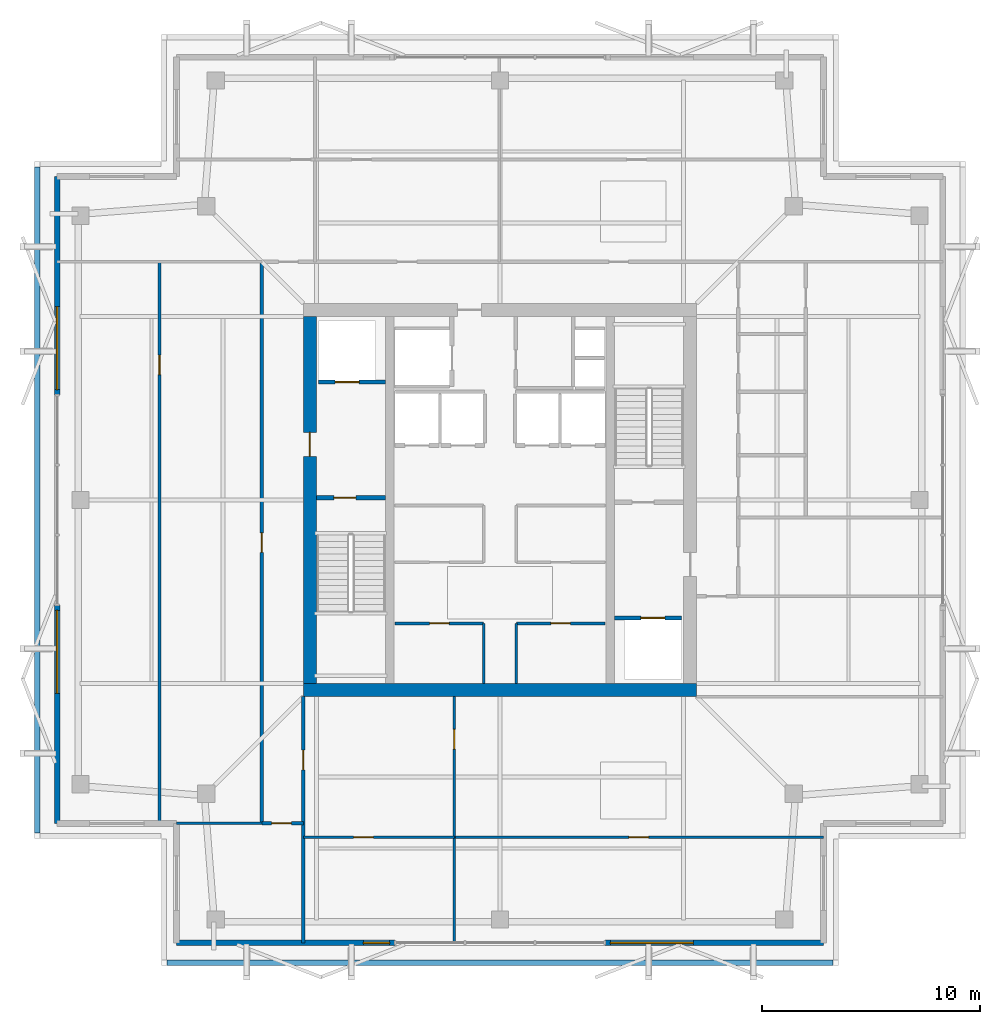
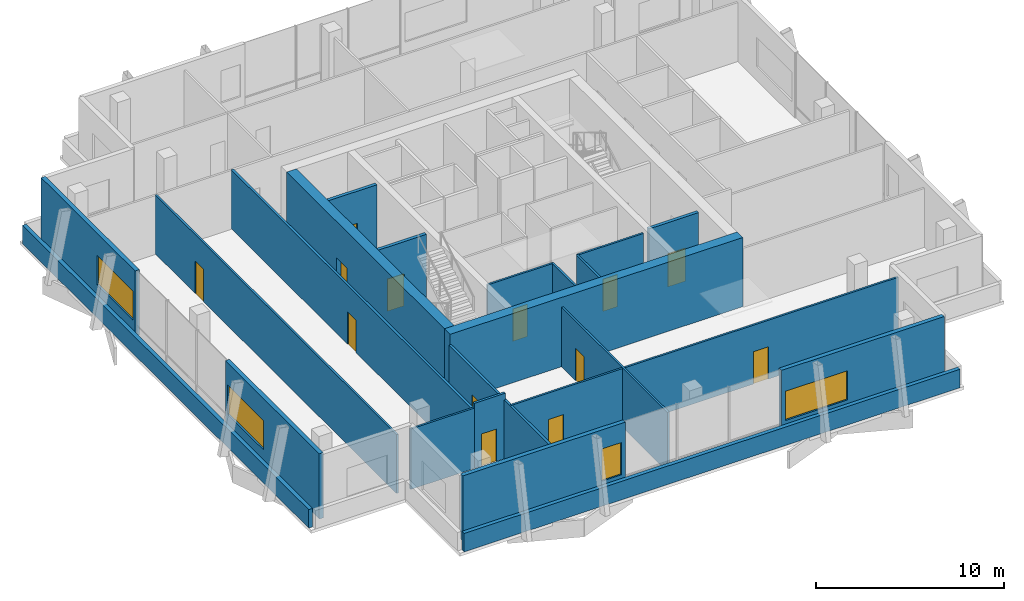
# One storey, part 13 of 17: 23 walls, 13 doors, 4 windows, 17 openings.
"""IFC4 building model written with IfcOpenShell, lengths in metres."""

import ifcopenshell
import ifcopenshell.guid

model = None  # the IFC model being written
_history = None  # IfcOwnerHistory: only IFC2X3 demands one
_inside = {}  # id of a spatial element -> (the spatial element, [elements in it])
_under = {}  # id of a project, library or spatial element -> (it, [spatial elements below it])
_declared = {}  # id of a project -> (the project, [libraries it declares])
_typed = {}  # id of a type object -> (the type object, [elements of that type])
_made_of = {}  # id of a material, layer set ... -> (it, [elements and type objects made of it])


def new_model(schema):
    """Start an empty IFC model of exactly this schema.

    Asked for "IFC4X3", IfcOpenShell would pick the latest addendum, in which some entities
    have other attributes; the version numbers below select the first issue.
    IFC2X3 requires an IfcOwnerHistory on every rooted entity: one is made here for all.
    """
    global model, _history
    if schema == "IFC4X3":
        model = ifcopenshell.file(schema_version=(4, 3, 0, 0))
    else:
        model = ifcopenshell.file(schema=schema)
    _inside.clear()
    _under.clear()
    _declared.clear()
    _typed.clear()
    _made_of.clear()
    _history = None
    if model.schema == "IFC2X3":
        org = make("IfcOrganization", Name="unknown")
        user = make(
            "IfcPersonAndOrganization",
            ThePerson=make("IfcPerson", FamilyName="unknown"),
            TheOrganization=org,
        )
        app = make(
            "IfcApplication",
            ApplicationDeveloper=org,
            Version="unknown",
            ApplicationFullName="unknown",
            ApplicationIdentifier="unknown",
        )
        _history = make(
            "IfcOwnerHistory",
            OwningUser=user,
            OwningApplication=app,
            ChangeAction="ADDED",
            CreationDate=0,
        )
    return model


def make(cls, **values):
    """One entity of the class cls with the attributes given. An attribute that is None is left unset."""
    return model.create_entity(
        cls, **{name: value for name, value in values.items() if value is not None}
    )


def rooted(cls, **values):
    """An entity with a GlobalId (a new one), such as an element, a storey or a relation."""
    return make(cls, GlobalId=ifcopenshell.guid.new(), OwnerHistory=_history, **values)


def si_unit(unit_type, name, prefix=None):
    """IfcSIUnit, for example si_unit("LENGTHUNIT", "METRE", prefix="MILLI")."""
    return make("IfcSIUnit", UnitType=unit_type, Prefix=prefix, Name=name)


def assignment(units):
    """IfcUnitAssignment: the units of a project."""
    return None if units is None else make("IfcUnitAssignment", Units=units)


def point(xyz):
    """IfcCartesianPoint."""
    return None if xyz is None else make("IfcCartesianPoint", Coordinates=xyz)


def direction(xyz):
    """IfcDirection."""
    return None if xyz is None else make("IfcDirection", DirectionRatios=xyz)


def frame(location, z_axis=None, x_axis=None):
    """IfcAxis2Placement3D, a coordinate frame: its origin and axes. An axis left out is left unset."""
    return make(
        "IfcAxis2Placement3D",
        Location=point(location),
        Axis=direction(z_axis),
        RefDirection=direction(x_axis),
    )


def frame_2d(location, x_axis=None):
    """IfcAxis2Placement2D, a coordinate frame in the plane: its origin and x axis."""
    return make(
        "IfcAxis2Placement2D", Location=point(location), RefDirection=direction(x_axis)
    )


def origin():
    """The frame at (0, 0, 0) with its axes left unset."""
    return frame((0.0, 0.0, 0.0))


def place(relative_to, where):
    """IfcLocalPlacement: puts the frame where relative to a parent placement (None: the world)."""
    return make(
        "IfcLocalPlacement", PlacementRelTo=relative_to, RelativePlacement=where
    )


def context(
    kind, dimensions, precision=None, world=None, true_north=None, identifier=None
):
    """IfcGeometricRepresentationContext, for example the 3D "Model" context."""
    return make(
        "IfcGeometricRepresentationContext",
        ContextIdentifier=identifier,
        ContextType=kind,
        CoordinateSpaceDimension=dimensions,
        Precision=precision,
        WorldCoordinateSystem=world,
        TrueNorth=true_north,
    )


def subcontext(parent, identifier, kind, view, scale=None):
    """IfcGeometricRepresentationSubContext, for example "Body" below "Model"."""
    return make(
        "IfcGeometricRepresentationSubContext",
        ContextIdentifier=identifier,
        ContextType=kind,
        ParentContext=parent,
        TargetScale=scale,
        TargetView=view,
    )


def project(units=None, contexts=None):
    """IfcProject with its units and contexts."""
    return rooted(
        "IfcProject",
        Name="project",
        RepresentationContexts=contexts,
        UnitsInContext=assignment(units),
    )


def spatial(cls, under=None, at=None, **own):
    """A site, building, storey or space (cls), placed at a placement, below another one or the project."""
    s = rooted(cls, ObjectPlacement=at, **own)
    if under is not None:
        _under.setdefault(under.id(), (under, []))[1].append(s)
    return s


def profile(cls, at=None, kind="AREA", **sizes):
    """A parametric profile (cls). Its sizes go by their IFC names, for example OverallWidth=200.0."""
    return make(cls, ProfileType=kind, Position=at, **sizes)


def rectangle(**sizes):
    """IfcRectangleProfileDef."""
    return profile("IfcRectangleProfileDef", **sizes)


def extrude(swept, where, along, depth):
    """IfcExtrudedAreaSolid: the profile swept, set in the frame where, extruded along a direction by depth."""
    return make(
        "IfcExtrudedAreaSolid",
        SweptArea=swept,
        Position=where,
        ExtrudedDirection=direction(along),
        Depth=depth,
    )


def shape(context_of_items, identifier, shape_type, items):
    """IfcShapeRepresentation: the items that make up one representation, for example the "Body"."""
    return make(
        "IfcShapeRepresentation",
        ContextOfItems=context_of_items,
        RepresentationIdentifier=identifier,
        RepresentationType=shape_type,
        Items=items,
    )


def material(Name=None, Category=None):
    """IfcMaterial."""
    return make("IfcMaterial", Name=Name, Category=Category)


def layer(
    of_material, thickness, ventilated=None, Name=None, Category=None, Priority=None
):
    """IfcMaterialLayer: one layer of a wall or slab, of a material (None: an air gap)."""
    return make(
        "IfcMaterialLayer",
        Material=of_material,
        LayerThickness=thickness,
        IsVentilated=ventilated,
        Name=Name,
        Category=Category,
        Priority=Priority,
    )


def layer_set(layers, Name=None):
    """IfcMaterialLayerSet."""
    return make("IfcMaterialLayerSet", MaterialLayers=layers, LayerSetName=Name)


def made_of(thing, what):
    """Note that an element or type object is made of a material, layer set ...; save() writes the relation."""
    if what is not None:
        _made_of.setdefault(what.id(), (what, []))[1].append(thing)
    return thing


def type_object(cls, material=None, **own):
    """A type object (cls), such as IfcWallType, which elements share."""
    return made_of(rooted(cls, **own), material)


def element(
    cls,
    number,
    at=None,
    inside=None,
    cuts=None,
    type_object=None,
    material=None,
    context=None,
    identifier="Body",
    shape_type=None,
    held_by="IfcProductDefinitionShape",
    body=None,
    shapes=None,
    **own,
):
    """One element of the class cls, such as IfcWall. Its Tag is "e" and its number.

    at: its placement. inside: the storey or other place that contains it. cuts: it is an
    opening in that element (IfcRelVoidsElement). A single representation is given by context,
    identifier, shape_type and body (its items); several are given by shapes. held_by: the class
    of the entity that holds the representations. save() writes the other relations.
    """
    e = rooted(cls, Tag="e%d" % number, ObjectPlacement=at, **own)
    if body is not None:
        shapes = [shape(context, identifier, shape_type, body)]
    if shapes is not None:
        e.Representation = make(held_by, Representations=shapes)
    if inside is not None:
        _inside.setdefault(inside.id(), (inside, []))[1].append(e)
    if cuts is not None:
        rooted(
            "IfcRelVoidsElement", RelatingBuildingElement=cuts, RelatedOpeningElement=e
        )
    if type_object is not None:
        _typed.setdefault(type_object.id(), (type_object, []))[1].append(e)
    return made_of(e, material)


def fill(opening, filler):
    """IfcRelFillsElement: the door or window that sits in an opening."""
    return rooted(
        "IfcRelFillsElement",
        RelatingOpeningElement=opening,
        RelatedBuildingElement=filler,
    )


def aggregate(whole, parts):
    """IfcRelAggregates: a whole, such as a stair, and the parts it consists of."""
    return rooted("IfcRelAggregates", RelatingObject=whole, RelatedObjects=parts)


def save(model, path):
    """Write the relations noted so far, then the file.

    IfcRelAggregates (storeys below a building ...), IfcRelContainedInSpatialStructure (elements
    in a storey), IfcRelDefinesByType, IfcRelAssociatesMaterial and IfcRelDeclares: one each for
    every whole, place, type object, material and project.
    """
    for whole, parts in _under.values():
        aggregate(whole, parts)
    for where, things in _inside.values():
        rooted(
            "IfcRelContainedInSpatialStructure",
            RelatedElements=things,
            RelatingStructure=where,
        )
    for kind, things in _typed.values():
        rooted("IfcRelDefinesByType", RelatedObjects=things, RelatingType=kind)
    for what, things in _made_of.values():
        rooted("IfcRelAssociatesMaterial", RelatedObjects=things, RelatingMaterial=what)
    for by, libraries in _declared.values():
        rooted("IfcRelDeclares", RelatingContext=by, RelatedDefinitions=libraries)
    model.write(path)


model = new_model("IFC4")

# Units and contexts
model_context = context("Model", 3, precision=1e-05, world=origin(), true_north=direction((0.0, 1.0)))
body_context = subcontext(model_context, "Body", "Model", "MODEL_VIEW")
ifc_project = project(units=[si_unit("LENGTHUNIT", "METRE"), si_unit("AREAUNIT", "SQUARE_METRE"), si_unit("VOLUMEUNIT", "CUBIC_METRE"), si_unit("PLANEANGLEUNIT", "RADIAN"), si_unit("MASSUNIT", "GRAM", prefix="KILO")], contexts=[model_context])

# Site, building, storey
site_placement = place(None, origin())
site = spatial("IfcSite", under=ifc_project, at=site_placement, CompositionType="ELEMENT")
building_placement = place(site_placement, origin())
building = spatial("IfcBuilding", under=site, at=building_placement, Name="Belovzor Exchange Tower", CompositionType="ELEMENT")
storey_placement = place(building_placement, frame((0.0, 0.0, 355.5)))
storey = spatial("IfcBuildingStorey", under=building, at=storey_placement, Name="L89", CompositionType="ELEMENT", Elevation=355.5)

# Wall, opening, door
ifc_material_1 = material(Name="Acoustic Plasterboard on Galvanised Studs", Category="gypsum")
ifc_layer_1 = layer(ifc_material_1, 0.1201171875)
ifc_layer_set_1 = layer_set([ifc_layer_1], Name="Acoustic Plasterboard on Galvanised Studs")
wall_type_1 = type_object("IfcWallType", Name="Acoustic Double-Stud Partition Wall 120", PredefinedType="PARTITIONING", material=ifc_layer_set_1)
wall_1_placement = place(storey_placement, frame((13.215087890625, 14.0, 0.0), z_axis=(0.0, 0.0, 1.0), x_axis=(0.0, 1.0, 0.0)))
wall_1 = element("IfcWall", 1, at=wall_1_placement, inside=storey, type_object=wall_type_1, Name="W-P120 Partition Wall W-L89-WHDIV-0", PredefinedType="PARTITIONING", context=body_context, shape_type="SweptSolid", body=[
    extrude(rectangle(XDim=25.699951171875, YDim=0.1201171875, at=frame_2d((12.85009765625, 0.0))), origin(), (0.0, 0.0, 1.0), 3.824951171875),
])
opening_1_placement = place(wall_1_placement, frame((20.532958984375, 0.0, 0.0)))
opening_1 = element("IfcOpeningElement", 2, at=opening_1_placement, cuts=wall_1, Name="Opening D-INT-090", PredefinedType="OPENING", context=body_context, shape_type="SweptSolid", body=[
    extrude(rectangle(XDim=0.89990234375, YDim=2.10009765625, at=frame_2d((0.449951171875, 1.050048828125))), frame((0.0, 0.070068359375, 0.0), z_axis=(0.0, -1.0, 0.0), x_axis=(1.0, 0.0, 0.0)), (0.0, 0.0, 1.0), 0.14013671875),
])
ifc_material_2 = material(Name="Veneered Hardwood Acoustic Leaf", Category="wood")
door_type_1 = type_object("IfcDoorType", Name="Trading Suite Acoustic Single Door 900x2100", OperationType="NOTDEFINED", PredefinedType="DOOR", material=ifc_material_2)
door_1_placement = place(opening_1_placement, origin())
door_1 = element("IfcDoor", 3, at=door_1_placement, inside=storey, type_object=door_type_1, Name="D-INT-090 Trading Suite Acoustic Single Door 900x2100", OperationType="SINGLE_SWING_LEFT", OverallHeight=2.10009765625, OverallWidth=0.89990234375, PredefinedType="DOOR", context=body_context, shape_type="SweptSolid", body=[
    extrude(rectangle(XDim=0.89990234375, YDim=2.10009765625, at=frame_2d((0.449951171875, 1.050048828125))), frame((0.0, 0.02490234375, 0.0), z_axis=(0.0, -1.0, 0.0), x_axis=(1.0, 0.0, 0.0)), (0.0, 0.0, 1.0), 0.050048828125),
])
fill(opening_1, door_1)

# Wall
wall_2_placement = place(storey_placement, frame((14.0, 14.0, 0.0), z_axis=(0.0, 0.0, 1.0), x_axis=(1.0, 0.0, 0.0)))
element("IfcWall", 4, at=wall_2_placement, inside=storey, type_object=wall_type_1, Name="W-P120 Partition Wall W-L89-SWS", PredefinedType="PARTITIONING", context=body_context, shape_type="SweptSolid", body=[
    extrude(rectangle(XDim=3.89990234375, YDim=0.1201171875, at=frame_2d((1.949951171875, 0.0))), origin(), (0.0, 0.0, 1.0), 3.925048828125),
])

# Wall, opening, door
wall_3_placement = place(storey_placement, frame((19.800048828125, 13.35595703125, 0.0), z_axis=(0.0, 0.0, 1.0), x_axis=(1.0, 0.0, 0.0)))
wall_3 = element("IfcWall", 5, at=wall_3_placement, inside=storey, type_object=wall_type_1, Name="W-P120 Partition Wall W-L89-SHDIV-0", PredefinedType="PARTITIONING", context=body_context, shape_type="SweptSolid", body=[
    extrude(rectangle(XDim=6.907958984375, YDim=0.1201171875, at=frame_2d((3.4541015625, 0.0))), origin(), (0.0, 0.0, 1.0), 3.824951171875),
])
opening_2_placement = place(wall_3_placement, frame((2.302978515625, 0.0, 0.0)))
opening_2 = element("IfcOpeningElement", 6, at=opening_2_placement, cuts=wall_3, Name="Opening D-INT-090", PredefinedType="OPENING", context=body_context, shape_type="SweptSolid", body=[
    extrude(rectangle(XDim=0.89990234375, YDim=2.10009765625, at=frame_2d((0.449951171875, 1.050048828125))), frame((0.0, 0.070068359375, 0.0), z_axis=(0.0, -1.0, 0.0), x_axis=(1.0, 0.0, 0.0)), (0.0, 0.0, 1.0), 0.14013671875),
])
door_2_placement = place(opening_2_placement, origin())
door_2 = element("IfcDoor", 7, at=door_2_placement, inside=storey, type_object=door_type_1, Name="D-INT-090 Trading Suite Acoustic Single Door 900x2100", OperationType="SINGLE_SWING_LEFT", OverallHeight=2.10009765625, OverallWidth=0.89990234375, PredefinedType="DOOR", context=body_context, shape_type="SweptSolid", body=[
    extrude(rectangle(XDim=0.89990234375, YDim=2.10009765625, at=frame_2d((0.449951171875, 1.050048828125))), frame((0.0, 0.02490234375, 0.0), z_axis=(0.0, -1.0, 0.0), x_axis=(1.0, 0.0, 0.0)), (0.0, 0.0, 1.0), 0.050048828125),
])
fill(opening_2, door_2)

wall_4_placement = place(storey_placement, frame((26.7080078125, 8.530029296875, 0.0), z_axis=(0.0, 0.0, 1.0), x_axis=(0.0, 1.0, 0.0)))
wall_4 = element("IfcWall", 8, at=wall_4_placement, inside=storey, type_object=wall_type_1, Name="W-P120 Partition Wall W-L89-SDIV-1", PredefinedType="PARTITIONING", context=body_context, shape_type="SweptSolid", body=[
    extrude(rectangle(XDim=11.27001953125, YDim=0.1201171875, at=frame_2d((5.635009765625, 0.0))), origin(), (0.0, 0.0, 1.0), 3.864990234375),
])
opening_3_placement = place(wall_4_placement, frame((8.8701171875, 0.0, 0.0)))
opening_3 = element("IfcOpeningElement", 9, at=opening_3_placement, cuts=wall_4, Name="Opening D-INT-090", PredefinedType="OPENING", context=body_context, shape_type="SweptSolid", body=[
    extrude(rectangle(XDim=0.89990234375, YDim=2.10009765625, at=frame_2d((0.449951171875, 1.050048828125))), frame((0.0, 0.070068359375, 0.0), z_axis=(0.0, -1.0, 0.0), x_axis=(1.0, 0.0, 0.0)), (0.0, 0.0, 1.0), 0.14013671875),
])
door_3_placement = place(opening_3_placement, origin())
door_3 = element("IfcDoor", 10, at=door_3_placement, inside=storey, type_object=door_type_1, Name="D-INT-090 Trading Suite Acoustic Single Door 900x2100", OperationType="SINGLE_SWING_LEFT", OverallHeight=2.10009765625, OverallWidth=0.89990234375, PredefinedType="DOOR", context=body_context, shape_type="SweptSolid", body=[
    extrude(rectangle(XDim=0.89990234375, YDim=2.10009765625, at=frame_2d((0.449951171875, 1.050048828125))), frame((0.0, 0.02490234375, 0.0), z_axis=(0.0, -1.0, 0.0), x_axis=(1.0, 0.0, 0.0)), (0.0, 0.0, 1.0), 0.050048828125),
])
fill(opening_3, door_3)

wall_5_placement = place(storey_placement, frame((26.7080078125, 13.35595703125, 0.0), z_axis=(0.0, 0.0, 1.0), x_axis=(1.0, 0.0, 0.0)))
wall_5 = element("IfcWall", 11, at=wall_5_placement, inside=storey, type_object=wall_type_1, Name="W-P120 Partition Wall W-L89-SHDIV-1", PredefinedType="PARTITIONING", context=body_context, shape_type="SweptSolid", body=[
    extrude(rectangle(XDim=16.89208984375, YDim=0.1201171875, at=frame_2d((8.446044921875, 0.0))), origin(), (0.0, 0.0, 1.0), 3.824951171875),
])
opening_4_placement = place(wall_5_placement, frame((7.99609375, 0.0, 0.0)))
opening_4 = element("IfcOpeningElement", 12, at=opening_4_placement, cuts=wall_5, Name="Opening D-INT-090", PredefinedType="OPENING", context=body_context, shape_type="SweptSolid", body=[
    extrude(rectangle(XDim=0.89990234375, YDim=2.10009765625, at=frame_2d((0.449951171875, 1.050048828125))), frame((0.0, 0.070068359375, 0.0), z_axis=(0.0, -1.0, 0.0), x_axis=(1.0, 0.0, 0.0)), (0.0, 0.0, 1.0), 0.14013671875),
])
door_4_placement = place(opening_4_placement, origin())
door_4 = element("IfcDoor", 13, at=door_4_placement, inside=storey, type_object=door_type_1, Name="D-INT-090 Trading Suite Acoustic Single Door 900x2100", OperationType="SINGLE_SWING_LEFT", OverallHeight=2.10009765625, OverallWidth=0.89990234375, PredefinedType="DOOR", context=body_context, shape_type="SweptSolid", body=[
    extrude(rectangle(XDim=0.89990234375, YDim=2.10009765625, at=frame_2d((0.449951171875, 1.050048828125))), frame((0.0, 0.02490234375, 0.0), z_axis=(0.0, -1.0, 0.0), x_axis=(1.0, 0.0, 0.0)), (0.0, 0.0, 1.0), 0.050048828125),
])
fill(opening_4, door_4)

ifc_material_3 = material(Name="Fire-Rated Plasterboard on Galvanised Studs", Category="gypsum")
ifc_layer_2 = layer(ifc_material_3, 0.1201171875)
ifc_layer_set_2 = layer_set([ifc_layer_2], Name="Fire-Rated Plasterboard on Galvanised Studs")
wall_type_2 = type_object("IfcWallType", Name="Fire-Rated Double-Stud Partition Wall 120", PredefinedType="PARTITIONING", material=ifc_layer_set_2)
wall_6_placement = place(storey_placement, frame((24.0, 23.14990234375, 0.0), z_axis=(0.0, 0.0, 1.0), x_axis=(1.0, 0.0, 0.0)))
wall_6 = element("IfcWall", 14, at=wall_6_placement, inside=storey, type_object=wall_type_2, Name="W-P120F Partition Wall W-CRL-L89-WN", PredefinedType="PARTITIONING", context=body_context, shape_type="SweptSolid", body=[
    extrude(rectangle(XDim=4.050048828125, YDim=0.1201171875, at=frame_2d((2.02490234375, 0.0))), origin(), (0.0, 0.0, 1.0), 4.239990234375),
])
opening_5_placement = place(wall_6_placement, frame((1.574951171875, 0.0, 0.0)))
opening_5 = element("IfcOpeningElement", 15, at=opening_5_placement, cuts=wall_6, Name="Opening D-FD60-090", PredefinedType="OPENING", context=body_context, shape_type="SweptSolid", body=[
    extrude(rectangle(XDim=0.89990234375, YDim=2.10009765625, at=frame_2d((0.449951171875, 1.050048828125))), frame((0.0, 0.070068359375, 0.0), z_axis=(0.0, -1.0, 0.0), x_axis=(1.0, 0.0, 0.0)), (0.0, 0.0, 1.0), 0.14013671875),
])
ifc_material_4 = material(Name="Acoustic Timber Fire Leaf", Category="wood")
door_type_2 = type_object("IfcDoorType", Name="Core Service & Restroom Fire Door 900x2100", OperationType="NOTDEFINED", PredefinedType="DOOR", material=ifc_material_4)
door_5_placement = place(opening_5_placement, origin())
door_5 = element("IfcDoor", 16, at=door_5_placement, inside=storey, type_object=door_type_2, Name="D-FD60-090 Core Service & Restroom Fire Door 900x2100", OperationType="SINGLE_SWING_LEFT", OverallHeight=2.10009765625, OverallWidth=0.89990234375, PredefinedType="DOOR", context=body_context, shape_type="SweptSolid", body=[
    extrude(rectangle(XDim=0.89990234375, YDim=2.10009765625, at=frame_2d((0.449951171875, 1.050048828125))), frame((0.0, 0.02490234375, 0.0), z_axis=(0.0, -1.0, 0.0), x_axis=(1.0, 0.0, 0.0)), (0.0, 0.0, 1.0), 0.050048828125),
])
fill(opening_5, door_5)

# Wall
wall_7_placement = place(storey_placement, frame((28.050048828125, 20.39990234375, 0.0), z_axis=(0.0, 0.0, 1.0), x_axis=(0.0, 1.0, 0.0)))
element("IfcWall", 17, at=wall_7_placement, inside=storey, type_object=wall_type_2, Name="W-P120F Partition Wall W-CRL-L89-WE", PredefinedType="PARTITIONING", context=body_context, shape_type="SweptSolid", body=[
    extrude(rectangle(XDim=2.75, YDim=0.1201171875, at=frame_2d((1.375, 0.0))), origin(), (0.0, 0.0, 1.0), 4.239990234375),
])

# Wall, opening, door
wall_8_placement = place(storey_placement, frame((29.550048828125, 23.14990234375, 0.0), z_axis=(0.0, 0.0, 1.0), x_axis=(1.0, 0.0, 0.0)))
wall_8 = element("IfcWall", 18, at=wall_8_placement, inside=storey, type_object=wall_type_2, Name="W-P120F Partition Wall W-CRL-L89-EN", PredefinedType="PARTITIONING", context=body_context, shape_type="SweptSolid", body=[
    extrude(rectangle(XDim=4.050048828125, YDim=0.1201171875, at=frame_2d((2.02490234375, 0.0))), origin(), (0.0, 0.0, 1.0), 4.239990234375),
])
opening_6_placement = place(wall_8_placement, frame((1.574951171875, 0.0, 0.0)))
opening_6 = element("IfcOpeningElement", 19, at=opening_6_placement, cuts=wall_8, Name="Opening D-FD60-090", PredefinedType="OPENING", context=body_context, shape_type="SweptSolid", body=[
    extrude(rectangle(XDim=0.89990234375, YDim=2.10009765625, at=frame_2d((0.449951171875, 1.050048828125))), frame((0.0, 0.070068359375, 0.0), z_axis=(0.0, -1.0, 0.0), x_axis=(1.0, 0.0, 0.0)), (0.0, 0.0, 1.0), 0.14013671875),
])
door_6_placement = place(opening_6_placement, origin())
door_6 = element("IfcDoor", 20, at=door_6_placement, inside=storey, type_object=door_type_2, Name="D-FD60-090 Core Service & Restroom Fire Door 900x2100", OperationType="SINGLE_SWING_RIGHT", OverallHeight=2.10009765625, OverallWidth=0.89990234375, PredefinedType="DOOR", context=body_context, shape_type="SweptSolid", body=[
    extrude(rectangle(XDim=0.89990234375, YDim=2.10009765625, at=frame_2d((0.449951171875, 1.050048828125))), frame((0.0, 0.02490234375, 0.0), z_axis=(0.0, -1.0, 0.0), x_axis=(1.0, 0.0, 0.0)), (0.0, 0.0, 1.0), 0.050048828125),
])
fill(opening_6, door_6)

# Wall
wall_9_placement = place(storey_placement, frame((29.550048828125, 20.39990234375, 0.0), z_axis=(0.0, 0.0, 1.0), x_axis=(0.0, 1.0, 0.0)))
element("IfcWall", 21, at=wall_9_placement, inside=storey, type_object=wall_type_2, Name="W-P120F Partition Wall W-CRL-L89-EW", PredefinedType="PARTITIONING", context=body_context, shape_type="SweptSolid", body=[
    extrude(rectangle(XDim=2.75, YDim=0.1201171875, at=frame_2d((1.375, 0.0))), origin(), (0.0, 0.0, 1.0), 4.239990234375),
])

# Wall, opening, door
ifc_material_5 = material(Name="Fire-Rated Gypsum Block and Mineral Wool", Category="gypsum")
ifc_layer_3 = layer(ifc_material_5, 0.14990234375)
ifc_layer_set_3 = layer_set([ifc_layer_3], Name="Fire-Rated Gypsum Block and Mineral Wool")
wall_type_3 = type_object("IfcWallType", Name="Fire-Rated Gypsum Block Corridor Wall 150", PredefinedType="PARTITIONING", material=ifc_layer_set_3)
wall_10_placement = place(storey_placement, frame((17.89990234375, 14.0, 0.0), z_axis=(0.0, 0.0, 1.0), x_axis=(1.0, 0.0, 0.0)))
wall_10 = element("IfcWall", 22, at=wall_10_placement, inside=storey, type_object=wall_type_3, Name="W-P150 Partition Wall W-L89-CW-END", PredefinedType="PARTITIONING", context=body_context, shape_type="SweptSolid", body=[
    extrude(rectangle(XDim=1.900146484375, YDim=0.14990234375, at=frame_2d((0.9501953125, 0.0))), origin(), (0.0, 0.0, 1.0), 4.239990234375),
])
opening_7_placement = place(wall_10_placement, frame((0.449951171875, 0.0, 0.0)))
opening_7 = element("IfcOpeningElement", 23, at=opening_7_placement, cuts=wall_10, Name="Opening D-FD60-090", PredefinedType="OPENING", context=body_context, shape_type="SweptSolid", body=[
    extrude(rectangle(XDim=0.89990234375, YDim=2.10009765625, at=frame_2d((0.449951171875, 1.050048828125))), frame((0.0, 0.0849609375, 0.0), z_axis=(0.0, -1.0, 0.0), x_axis=(1.0, 0.0, 0.0)), (0.0, 0.0, 1.0), 0.169921875),
])
door_7_placement = place(opening_7_placement, origin())
door_7 = element("IfcDoor", 24, at=door_7_placement, inside=storey, type_object=door_type_2, Name="D-FD60-090 Core Service & Restroom Fire Door 900x2100", OperationType="SINGLE_SWING_LEFT", OverallHeight=2.10009765625, OverallWidth=0.89990234375, PredefinedType="DOOR", context=body_context, shape_type="SweptSolid", body=[
    extrude(rectangle(XDim=0.89990234375, YDim=2.10009765625, at=frame_2d((0.449951171875, 1.050048828125))), frame((0.0, 0.02490234375, 0.0), z_axis=(0.0, -1.0, 0.0), x_axis=(1.0, 0.0, 0.0)), (0.0, 0.0, 1.0), 0.050048828125),
])
fill(opening_7, door_7)

wall_11_placement = place(storey_placement, frame((19.800048828125, 8.530029296875, 0.0), z_axis=(0.0, 0.0, 1.0), x_axis=(0.0, 1.0, 0.0)))
wall_11 = element("IfcWall", 25, at=wall_11_placement, inside=storey, type_object=wall_type_3, Name="W-P150 Partition Wall W-L89-CW-E", PredefinedType="PARTITIONING", context=body_context, shape_type="SweptSolid", body=[
    extrude(rectangle(XDim=11.27001953125, YDim=0.14990234375, at=frame_2d((5.635009765625, 0.0))), origin(), (0.0, 0.0, 1.0), 3.824951171875),
])
opening_8_placement = place(wall_11_placement, frame((7.919921875, 0.0, 0.0)))
opening_8 = element("IfcOpeningElement", 26, at=opening_8_placement, cuts=wall_11, Name="Opening D-FD60-090", PredefinedType="OPENING", context=body_context, shape_type="SweptSolid", body=[
    extrude(rectangle(XDim=0.89990234375, YDim=2.10009765625, at=frame_2d((0.449951171875, 1.050048828125))), frame((0.0, 0.0849609375, 0.0), z_axis=(0.0, -1.0, 0.0), x_axis=(1.0, 0.0, 0.0)), (0.0, 0.0, 1.0), 0.169921875),
])
door_8_placement = place(opening_8_placement, origin())
door_8 = element("IfcDoor", 27, at=door_8_placement, inside=storey, type_object=door_type_2, Name="D-FD60-090 Core Service & Restroom Fire Door 900x2100", OperationType="SINGLE_SWING_RIGHT", OverallHeight=2.10009765625, OverallWidth=0.89990234375, PredefinedType="DOOR", context=body_context, shape_type="SweptSolid", body=[
    extrude(rectangle(XDim=0.89990234375, YDim=2.10009765625, at=frame_2d((0.449951171875, 1.050048828125))), frame((0.0, 0.02490234375, 0.0), z_axis=(0.0, -1.0, 0.0), x_axis=(1.0, 0.0, 0.0)), (0.0, 0.0, 1.0), 0.050048828125),
])
fill(opening_8, door_8)

wall_12_placement = place(storey_placement, frame((17.89990234375, 14.0, 0.0), z_axis=(0.0, 0.0, 1.0), x_axis=(0.0, 1.0, 0.0)))
wall_12 = element("IfcWall", 28, at=wall_12_placement, inside=storey, type_object=wall_type_3, Name="W-P150 Partition Wall W-L89-CW", PredefinedType="PARTITIONING", context=body_context, shape_type="SweptSolid", body=[
    extrude(rectangle(XDim=25.699951171875, YDim=0.14990234375, at=frame_2d((12.85009765625, 0.0))), origin(), (0.0, 0.0, 1.0), 3.824951171875),
])
opening_9_placement = place(wall_12_placement, frame((12.39990234375, 0.0, 0.0)))
opening_9 = element("IfcOpeningElement", 29, at=opening_9_placement, cuts=wall_12, Name="Opening D-INT-090", PredefinedType="OPENING", context=body_context, shape_type="SweptSolid", body=[
    extrude(rectangle(XDim=0.89990234375, YDim=2.10009765625, at=frame_2d((0.449951171875, 1.050048828125))), frame((0.0, 0.0849609375, 0.0), z_axis=(0.0, -1.0, 0.0), x_axis=(1.0, 0.0, 0.0)), (0.0, 0.0, 1.0), 0.169921875),
])
door_9_placement = place(opening_9_placement, origin())
door_9 = element("IfcDoor", 30, at=door_9_placement, inside=storey, type_object=door_type_1, Name="D-INT-090 Trading Suite Acoustic Single Door 900x2100", OperationType="SINGLE_SWING_RIGHT", OverallHeight=2.10009765625, OverallWidth=0.89990234375, PredefinedType="DOOR", context=body_context, shape_type="SweptSolid", body=[
    extrude(rectangle(XDim=0.89990234375, YDim=2.10009765625, at=frame_2d((0.449951171875, 1.050048828125))), frame((0.0, 0.02490234375, 0.0), z_axis=(0.0, -1.0, 0.0), x_axis=(1.0, 0.0, 0.0)), (0.0, 0.0, 1.0), 0.050048828125),
])
fill(opening_9, door_9)

# Wall, opening, window
ifc_material_6 = material(Name="Precast concrete C40/50", Category="concrete")
ifc_layer_4 = layer(ifc_material_6, 0.260009765625)
ifc_layer_set_4 = layer_set([ifc_layer_4], Name="Precast concrete C40/50")
wall_type_4 = type_object("IfcWallType", Name="Precast Concrete Perimeter Loggia Frame Wall 260", PredefinedType="SOLIDWALL", material=ifc_layer_set_4)
wall_13_placement = place(storey_placement, frame((43.60009765625, 8.530029296875, 0.0), z_axis=(0.0, 0.0, 1.0), x_axis=(-1.0, 0.0, 0.0)))
wall_13 = element("IfcWall", 31, at=wall_13_placement, inside=storey, type_object=wall_type_4, Name="W-EXT260 Precast Concrete Perimeter Loggia Frame Wall 260 L89", PredefinedType="SOLIDWALL", context=body_context, shape_type="SweptSolid", body=[
    extrude(rectangle(XDim=10.0, YDim=0.260009765625, at=frame_2d((5.0, 0.0))), origin(), (0.0, 0.0, 1.0), 4.239990234375),
])
opening_10_placement = place(wall_13_placement, frame((5.949951171875, 0.0, 0.89990234375)))
opening_10 = element("IfcOpeningElement", 32, at=opening_10_placement, cuts=wall_13, Name="Opening WN-RIB380", PredefinedType="OPENING", context=body_context, shape_type="SweptSolid", body=[
    extrude(rectangle(XDim=3.800048828125, YDim=1.89990234375, at=frame_2d((1.89990234375, 0.949951171875))), frame((0.0, 0.139892578125, 0.0), z_axis=(0.0, -1.0, 0.0), x_axis=(1.0, 0.0, 0.0)), (0.0, 0.0, 1.0), 0.280029296875),
])
ifc_material_7 = material(Name="Thermally Broken Aluminium and Triple Glazing", Category="aluminium")
window_type_1 = type_object("IfcWindowType", Name="Streamline Moderne Horizontal Ribbon Window 3800x1900", PartitioningType="SINGLE_PANEL", PredefinedType="WINDOW", material=ifc_material_7)
window_1_placement = place(opening_10_placement, origin())
window_1 = element("IfcWindow", 33, at=window_1_placement, inside=storey, type_object=window_type_1, Name="WN-RIB380 Streamline Moderne Horizontal Ribbon Window 3800x1900", OverallHeight=1.89990234375, OverallWidth=3.800048828125, PartitioningType="SINGLE_PANEL", PredefinedType="WINDOW", context=body_context, shape_type="SweptSolid", body=[
    extrude(rectangle(XDim=3.800048828125, YDim=1.89990234375, at=frame_2d((1.89990234375, 0.949951171875))), frame((0.0, 0.030029296875, 0.0), z_axis=(0.0, -1.0, 0.0), x_axis=(1.0, 0.0, 0.0)), (0.0, 0.0, 1.0), 0.06005859375),
])
fill(opening_10, window_1)

wall_14_placement = place(storey_placement, frame((24.0, 8.530029296875, 0.0), z_axis=(0.0, 0.0, 1.0), x_axis=(-1.0, 0.0, 0.0)))
wall_14 = element("IfcWall", 34, at=wall_14_placement, inside=storey, type_object=wall_type_4, Name="W-EXT260 Precast Concrete Perimeter Loggia Frame Wall 260 L89", PredefinedType="SOLIDWALL", context=body_context, shape_type="SweptSolid", body=[
    extrude(rectangle(XDim=10.0, YDim=0.260009765625, at=frame_2d((5.0, 0.0))), origin(), (0.0, 0.0, 1.0), 4.239990234375),
])
opening_11_placement = place(wall_14_placement, frame((0.25, 0.0, 0.89990234375)))
opening_11 = element("IfcOpeningElement", 35, at=opening_11_placement, cuts=wall_14, Name="Opening WN-CRN120", PredefinedType="OPENING", context=body_context, shape_type="SweptSolid", body=[
    extrude(rectangle(XDim=1.199951171875, YDim=2.10009765625, at=frame_2d((0.60009765625, 1.050048828125))), frame((0.0, 0.139892578125, 0.0), z_axis=(0.0, -1.0, 0.0), x_axis=(1.0, 0.0, 0.0)), (0.0, 0.0, 1.0), 0.280029296875),
])
ifc_material_8 = material(Name="Thermally Broken Aluminium and Triple Glazing", Category="aluminium")
window_type_2 = type_object("IfcWindowType", Name="Streamline Notched Corner Window 1200x2100", PartitioningType="SINGLE_PANEL", PredefinedType="WINDOW", material=ifc_material_8)
window_2_placement = place(opening_11_placement, origin())
window_2 = element("IfcWindow", 36, at=window_2_placement, inside=storey, type_object=window_type_2, Name="WN-CRN120 Streamline Notched Corner Window 1200x2100", OverallHeight=2.10009765625, OverallWidth=1.199951171875, PartitioningType="SINGLE_PANEL", PredefinedType="WINDOW", context=body_context, shape_type="SweptSolid", body=[
    extrude(rectangle(XDim=1.199951171875, YDim=2.10009765625, at=frame_2d((0.60009765625, 1.050048828125))), frame((0.0, 0.030029296875, 0.0), z_axis=(0.0, -1.0, 0.0), x_axis=(1.0, 0.0, 0.0)), (0.0, 0.0, 1.0), 0.06005859375),
])
fill(opening_11, window_2)

wall_15_placement = place(storey_placement, frame((8.530029296875, 14.0, 0.0), z_axis=(0.0, 0.0, 1.0), x_axis=(0.0, 1.0, 0.0)))
wall_15 = element("IfcWall", 37, at=wall_15_placement, inside=storey, type_object=wall_type_4, Name="W-EXT260 Precast Concrete Perimeter Loggia Frame Wall 260 L89", PredefinedType="SOLIDWALL", context=body_context, shape_type="SweptSolid", body=[
    extrude(rectangle(XDim=10.0, YDim=0.260009765625, at=frame_2d((5.0, 0.0))), origin(), (0.0, 0.0, 1.0), 4.239990234375),
])
opening_12_placement = place(wall_15_placement, frame((5.949951171875, 0.0, 0.89990234375)))
opening_12 = element("IfcOpeningElement", 38, at=opening_12_placement, cuts=wall_15, Name="Opening WN-RIB380", PredefinedType="OPENING", context=body_context, shape_type="SweptSolid", body=[
    extrude(rectangle(XDim=3.800048828125, YDim=1.89990234375, at=frame_2d((1.89990234375, 0.949951171875))), frame((0.0, 0.139892578125, 0.0), z_axis=(0.0, -1.0, 0.0), x_axis=(1.0, 0.0, 0.0)), (0.0, 0.0, 1.0), 0.280029296875),
])
window_3_placement = place(opening_12_placement, origin())
window_3 = element("IfcWindow", 39, at=window_3_placement, inside=storey, type_object=window_type_1, Name="WN-RIB380 Streamline Moderne Horizontal Ribbon Window 3800x1900", OverallHeight=1.89990234375, OverallWidth=3.800048828125, PartitioningType="SINGLE_PANEL", PredefinedType="WINDOW", context=body_context, shape_type="SweptSolid", body=[
    extrude(rectangle(XDim=3.800048828125, YDim=1.89990234375, at=frame_2d((1.89990234375, 0.949951171875))), frame((0.0, 0.030029296875, 0.0), z_axis=(0.0, -1.0, 0.0), x_axis=(1.0, 0.0, 0.0)), (0.0, 0.0, 1.0), 0.06005859375),
])
fill(opening_12, window_3)

wall_16_placement = place(storey_placement, frame((8.530029296875, 33.60009765625, 0.0), z_axis=(0.0, 0.0, 1.0), x_axis=(0.0, 1.0, 0.0)))
wall_16 = element("IfcWall", 40, at=wall_16_placement, inside=storey, type_object=wall_type_4, Name="W-EXT260 Precast Concrete Perimeter Loggia Frame Wall 260 L89", PredefinedType="SOLIDWALL", context=body_context, shape_type="SweptSolid", body=[
    extrude(rectangle(XDim=10.0, YDim=0.260009765625, at=frame_2d((5.0, 0.0))), origin(), (0.0, 0.0, 1.0), 4.239990234375),
])
opening_13_placement = place(wall_16_placement, frame((0.25, 0.0, 0.89990234375)))
opening_13 = element("IfcOpeningElement", 41, at=opening_13_placement, cuts=wall_16, Name="Opening WN-RIB380", PredefinedType="OPENING", context=body_context, shape_type="SweptSolid", body=[
    extrude(rectangle(XDim=3.800048828125, YDim=1.89990234375, at=frame_2d((1.89990234375, 0.949951171875))), frame((0.0, 0.139892578125, 0.0), z_axis=(0.0, -1.0, 0.0), x_axis=(1.0, 0.0, 0.0)), (0.0, 0.0, 1.0), 0.280029296875),
])
window_4_placement = place(opening_13_placement, origin())
window_4 = element("IfcWindow", 42, at=window_4_placement, inside=storey, type_object=window_type_1, Name="WN-RIB380 Streamline Moderne Horizontal Ribbon Window 3800x1900", OverallHeight=1.89990234375, OverallWidth=3.800048828125, PartitioningType="SINGLE_PANEL", PredefinedType="WINDOW", context=body_context, shape_type="SweptSolid", body=[
    extrude(rectangle(XDim=3.800048828125, YDim=1.89990234375, at=frame_2d((1.89990234375, 0.949951171875))), frame((0.0, 0.030029296875, 0.0), z_axis=(0.0, -1.0, 0.0), x_axis=(1.0, 0.0, 0.0)), (0.0, 0.0, 1.0), 0.06005859375),
])
fill(opening_13, window_4)

# Walls
ifc_material_9 = material(Name="Precast concrete C40/50", Category="concrete")
ifc_layer_5 = layer(ifc_material_9, 0.239990234375)
ifc_layer_set_5 = layer_set([ifc_layer_5], Name="Precast concrete C40/50")
wall_type_5 = type_object("IfcWallType", Name="Precast Stone Setback Roof Parapet Wall 240", PredefinedType="PARAPET", material=ifc_layer_set_5)
for number, where, z_axis, x_axis, name in (
    (43, (13.554931640625, 7.6201171875, 0.0), (0.0, 0.0, 1.0), (1.0, 0.0, 0.0), "W-PAR240 Precast Stone Setback Roof Parapet Wall 240 L89"),
    (44, (7.6201171875, 44.044921875, 0.0), (0.0, 0.0, 1.0), (0.0, -1.0, 0.0), "W-PAR240 Precast Stone Setback Roof Parapet Wall 240 L89"),
):
    element("IfcWall", number, at=place(storey_placement, frame(where, z_axis=z_axis, x_axis=x_axis)), inside=storey, type_object=wall_type_5, Name=name, PredefinedType="PARAPET", context=body_context, shape_type="SweptSolid", body=[
        extrude(rectangle(XDim=30.489990234375, YDim=0.239990234375, at=frame_2d((15.2451171875, 0.0))), origin(), (0.0, 0.0, 1.0), 1.199951171875),
    ])

# Wall, opening, door
ifc_material_10 = material(Name="Concrete C50/60", Category="concrete")
ifc_layer_6 = layer(ifc_material_10, 0.199951171875)
ifc_layer_set_6 = layer_set([ifc_layer_6], Name="Concrete C50/60")
wall_type_6 = type_object("IfcWallType", Name="Reinforced Concrete Core Shaft Shear Wall 200", PredefinedType="SHEAR", material=ifc_layer_set_6)
wall_17_placement = place(storey_placement, frame((20.39990234375, 28.89990234375, 0.0), z_axis=(0.0, 0.0, 1.0), x_axis=(1.0, 0.0, 0.0)))
wall_17 = element("IfcWall", 45, at=wall_17_placement, inside=storey, type_object=wall_type_6, Name="W-C200S Core Shaft Wall W-CORE-L89-FFLW1", PredefinedType="SHEAR", context=body_context, shape_type="SweptSolid", body=[
    extrude(rectangle(XDim=3.150146484375, YDim=0.199951171875, at=frame_2d((1.5751953125, 0.0))), origin(), (0.0, 0.0, 1.0), 4.239990234375),
])
opening_14_placement = place(wall_17_placement, frame((0.800048828125, 0.0, 0.0)))
opening_14 = element("IfcOpeningElement", 46, at=opening_14_placement, cuts=wall_17, Name="Opening D-FD90-100", PredefinedType="OPENING", context=body_context, shape_type="SweptSolid", body=[
    extrude(rectangle(XDim=1.0, YDim=2.10009765625, at=frame_2d((0.5, 1.050048828125))), frame((0.0, 0.10986328125, 0.0), z_axis=(0.0, -1.0, 0.0), x_axis=(1.0, 0.0, 0.0)), (0.0, 0.0, 1.0), 0.219970703125),
])
ifc_material_11 = material(Name="Fire-Rated Galvanised Steel Leaf", Category="steel")
door_type_3 = type_object("IfcDoorType", Name="Protected Stairwell Single Fire Door 1000x2100", OperationType="NOTDEFINED", PredefinedType="DOOR", material=ifc_material_11)
door_10_placement = place(opening_14_placement, origin())
door_10 = element("IfcDoor", 47, at=door_10_placement, inside=storey, type_object=door_type_3, Name="D-FD90-100 Protected Stairwell Single Fire Door 1000x2100", OperationType="SINGLE_SWING_RIGHT", OverallHeight=2.10009765625, OverallWidth=1.0, PredefinedType="DOOR", context=body_context, shape_type="SweptSolid", body=[
    extrude(rectangle(XDim=1.0, YDim=2.10009765625, at=frame_2d((0.5, 1.050048828125))), frame((0.0, 0.02490234375, 0.0), z_axis=(0.0, -1.0, 0.0), x_axis=(1.0, 0.0, 0.0)), (0.0, 0.0, 1.0), 0.050048828125),
])
fill(opening_14, door_10)

wall_18_placement = place(storey_placement, frame((20.5, 34.199951171875, 0.0), z_axis=(0.0, 0.0, 1.0), x_axis=(1.0, 0.0, 0.0)))
wall_18 = element("IfcWall", 48, at=wall_18_placement, inside=storey, type_object=wall_type_6, Name="W-C200S Core Shaft Wall W-SH-L89-FFL-01", PredefinedType="SHEAR", context=body_context, shape_type="SweptSolid", body=[
    extrude(rectangle(XDim=3.050048828125, YDim=0.199951171875, at=frame_2d((1.52490234375, 0.0))), origin(), (0.0, 0.0, 1.0), 4.239990234375),
])
opening_15_placement = place(wall_18_placement, frame((0.75, 0.0, 0.0)))
opening_15 = element("IfcOpeningElement", 49, at=opening_15_placement, cuts=wall_18, Name="Opening LD-110", PredefinedType="OPENING", context=body_context, shape_type="SweptSolid", body=[
    extrude(rectangle(XDim=1.10009765625, YDim=2.14990234375, at=frame_2d((0.550048828125, 1.074951171875))), frame((0.0, 0.10986328125, 0.0), z_axis=(0.0, -1.0, 0.0), x_axis=(1.0, 0.0, 0.0)), (0.0, 0.0, 1.0), 0.219970703125),
])
ifc_material_12 = material(Name="Stainless Steel Grade 304", Category="steel")
door_type_4 = type_object("IfcDoorType", Name="Automated Stainless Steel Lift Landing Door 1100x2150", OperationType="SLIDING_TO_RIGHT", PredefinedType="DOOR", material=ifc_material_12)
door_11_placement = place(opening_15_placement, origin())
door_11 = element("IfcDoor", 50, at=door_11_placement, inside=storey, type_object=door_type_4, Name="LD-110 Automated Stainless Steel Lift Landing Door 1100x2150", OperationType="SLIDING_TO_RIGHT", OverallHeight=2.14990234375, OverallWidth=1.10009765625, PredefinedType="DOOR", context=body_context, shape_type="SweptSolid", body=[
    extrude(rectangle(XDim=1.10009765625, YDim=2.14990234375, at=frame_2d((0.550048828125, 1.074951171875))), frame((0.0, 0.02490234375, 0.0), z_axis=(0.0, -1.0, 0.0), x_axis=(1.0, 0.0, 0.0)), (0.0, 0.0, 1.0), 0.050048828125),
])
fill(opening_15, door_11)

wall_19_placement = place(storey_placement, frame((34.050048828125, 23.39990234375, 0.0), z_axis=(0.0, 0.0, 1.0), x_axis=(1.0, 0.0, 0.0)))
wall_19 = element("IfcWall", 51, at=wall_19_placement, inside=storey, type_object=wall_type_6, Name="W-C200S Core Shaft Wall W-SH-L89-FFL-02", PredefinedType="SHEAR", context=body_context, shape_type="SweptSolid", body=[
    extrude(rectangle(XDim=3.050048828125, YDim=0.199951171875, at=frame_2d((1.52490234375, 0.0))), origin(), (0.0, 0.0, 1.0), 4.239990234375),
])
opening_16_placement = place(wall_19_placement, frame((1.199951171875, 0.0, 0.0)))
opening_16 = element("IfcOpeningElement", 52, at=opening_16_placement, cuts=wall_19, Name="Opening LD-110", PredefinedType="OPENING", context=body_context, shape_type="SweptSolid", body=[
    extrude(rectangle(XDim=1.10009765625, YDim=2.14990234375, at=frame_2d((0.550048828125, 1.074951171875))), frame((0.0, 0.10986328125, 0.0), z_axis=(0.0, -1.0, 0.0), x_axis=(1.0, 0.0, 0.0)), (0.0, 0.0, 1.0), 0.219970703125),
])
door_12_placement = place(opening_16_placement, origin())
door_12 = element("IfcDoor", 53, at=door_12_placement, inside=storey, type_object=door_type_4, Name="LD-110 Automated Stainless Steel Lift Landing Door 1100x2150", OperationType="SLIDING_TO_RIGHT", OverallHeight=2.14990234375, OverallWidth=1.10009765625, PredefinedType="DOOR", context=body_context, shape_type="SweptSolid", body=[
    extrude(rectangle(XDim=1.10009765625, YDim=2.14990234375, at=frame_2d((0.550048828125, 1.074951171875))), frame((0.0, 0.02490234375, 0.0), z_axis=(0.0, -1.0, 0.0), x_axis=(1.0, 0.0, 0.0)), (0.0, 0.0, 1.0), 0.050048828125),
])
fill(opening_16, door_12)

# Wall
ifc_material_13 = material(Name="Concrete C50/60", Category="concrete")
ifc_layer_7 = layer(ifc_material_13, 0.60009765625)
ifc_layer_set_7 = layer_set([ifc_layer_7], Name="Concrete C50/60")
wall_type_7 = type_object("IfcWallType", Name="Reinforced Concrete Core Shear Wall 600", PredefinedType="SHEAR", material=ifc_layer_set_7)
wall_20_placement = place(storey_placement, frame((19.800048828125, 20.10009765625, 0.0), z_axis=(0.0, 0.0, 1.0), x_axis=(1.0, 0.0, 0.0)))
element("IfcWall", 54, at=wall_20_placement, inside=storey, type_object=wall_type_7, Name="CW-S060 Core Shear Wall L89 S", PredefinedType="SHEAR", context=body_context, shape_type="SweptSolid", body=[
    extrude(rectangle(XDim=18.0, YDim=0.60009765625, at=frame_2d((9.0, 0.0))), origin(), (0.0, 0.0, 1.0), 4.5),
])

# Wall, opening, door
wall_21_placement = place(storey_placement, frame((20.10009765625, 20.39990234375, 0.0), z_axis=(0.0, 0.0, 1.0), x_axis=(0.0, 1.0, 0.0)))
wall_21 = element("IfcWall", 55, at=wall_21_placement, inside=storey, type_object=wall_type_7, Name="CW-S060 Core Shear Wall L89 W", PredefinedType="SHEAR", context=body_context, shape_type="SweptSolid", body=[
    extrude(rectangle(XDim=16.800048828125, YDim=0.60009765625, at=frame_2d((8.39990234375, 0.0))), origin(), (0.0, 0.0, 1.0), 4.5),
])
opening_17_placement = place(wall_21_placement, frame((10.39990234375, 0.0, 0.0)))
opening_17 = element("IfcOpeningElement", 56, at=opening_17_placement, cuts=wall_21, Name="Opening D-FD90-110", PredefinedType="OPENING", context=body_context, shape_type="SweptSolid", body=[
    extrude(rectangle(XDim=1.10009765625, YDim=2.14990234375, at=frame_2d((0.550048828125, 1.074951171875))), frame((0.0, 0.31005859375, 0.0), z_axis=(0.0, -1.0, 0.0), x_axis=(1.0, 0.0, 0.0)), (0.0, 0.0, 1.0), 0.6201171875),
])
ifc_material_14 = material(Name="Fire-Rated Galvanised Steel Leaf", Category="steel")
door_type_5 = type_object("IfcDoorType", Name="Protected Escape Vestibule Fire Door 1100x2150", OperationType="NOTDEFINED", PredefinedType="DOOR", material=ifc_material_14)
door_13_placement = place(opening_17_placement, origin())
door_13 = element("IfcDoor", 57, at=door_13_placement, inside=storey, type_object=door_type_5, Name="D-FD90-110 Protected Escape Vestibule Fire Door 1100x2150", OperationType="SINGLE_SWING_LEFT", OverallHeight=2.14990234375, OverallWidth=1.10009765625, PredefinedType="DOOR", context=body_context, shape_type="SweptSolid", body=[
    extrude(rectangle(XDim=1.10009765625, YDim=2.14990234375, at=frame_2d((0.550048828125, 1.074951171875))), frame((0.0, 0.02490234375, 0.0), z_axis=(0.0, -1.0, 0.0), x_axis=(1.0, 0.0, 0.0)), (0.0, 0.0, 1.0), 0.050048828125),
])
fill(opening_17, door_13)

save(model, "model.ifc")
